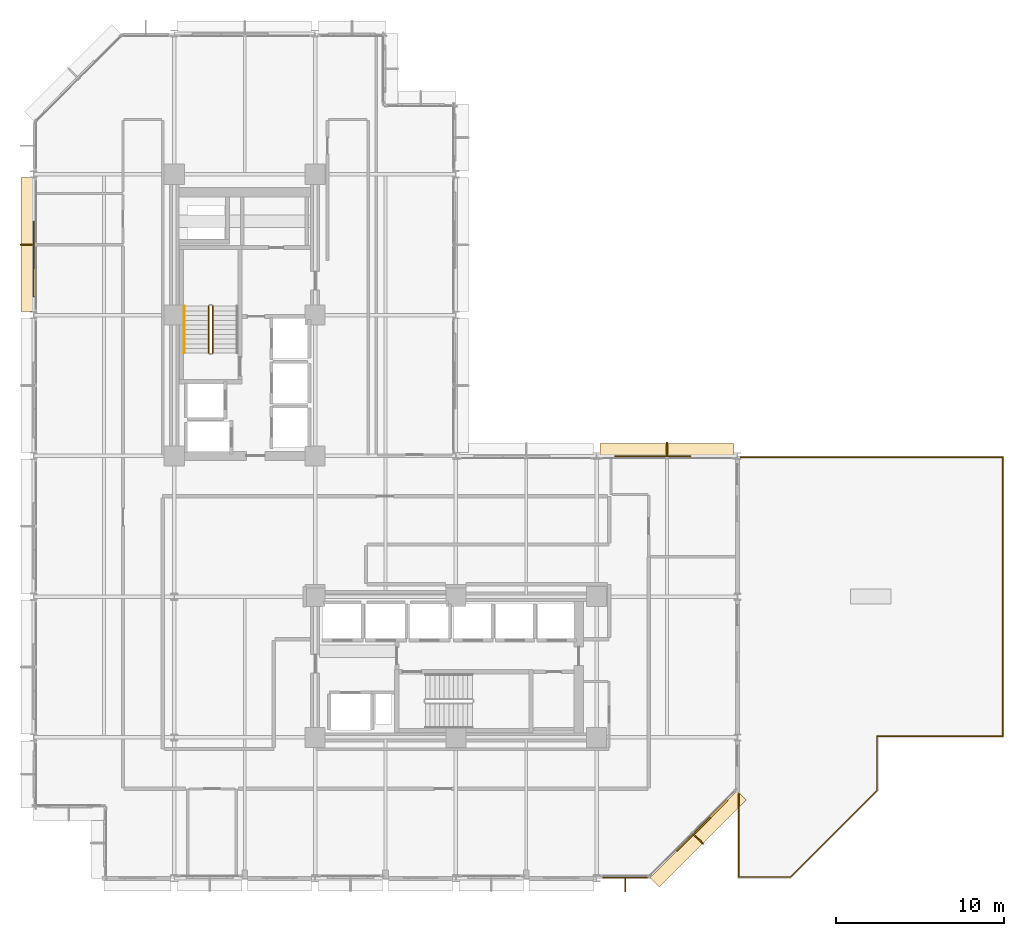
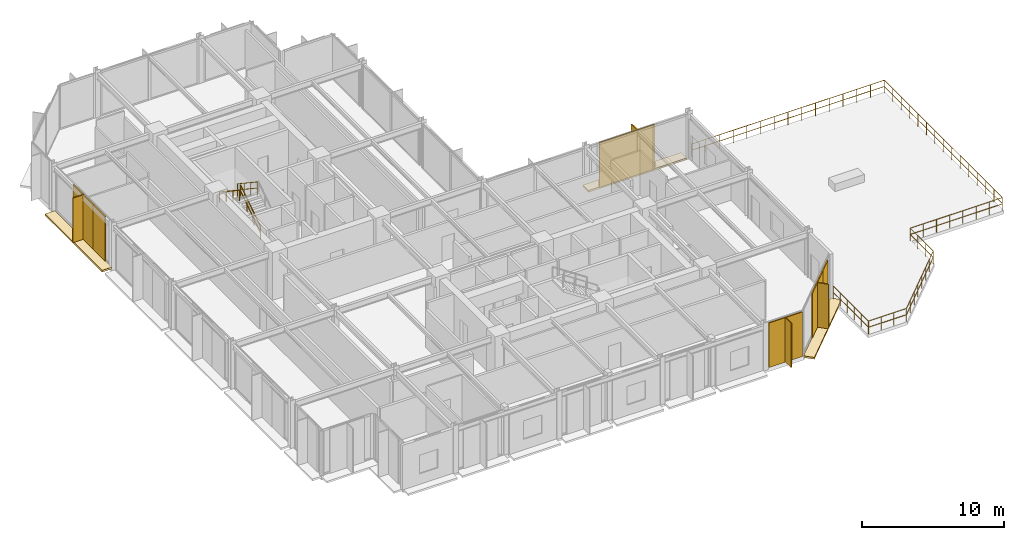
# One storey, part 24 of 25: 10 railings, 8 shading devices, 6 coverings.
"""IFC4 building model written with IfcOpenShell, lengths in metres."""

from ifc_helpers import new_model, si_unit, direction, frame, origin, origin_2d, place, context, subcontext, project, spatial, polyline, rectangle, circle, outline, extrude, material, layer, layer_set, type_object, element, save


model = new_model("IFC4")

# Units and contexts
model_context = context("Model", 3, precision=1e-05, world=origin(), true_north=direction((0.0, 1.0)))
body_context = subcontext(model_context, "Body", "Model", "MODEL_VIEW")
ifc_project = project(units=[si_unit("LENGTHUNIT", "METRE"), si_unit("AREAUNIT", "SQUARE_METRE"), si_unit("VOLUMEUNIT", "CUBIC_METRE"), si_unit("PLANEANGLEUNIT", "RADIAN"), si_unit("MASSUNIT", "GRAM", prefix="KILO")], contexts=[model_context])

# Site, building, storey
site_placement = place(None, origin())
site = spatial("IfcSite", under=ifc_project, at=site_placement, CompositionType="ELEMENT")
building_placement = place(site_placement, origin())
building = spatial("IfcBuilding", under=site, at=building_placement, Name="Nerrivon Quay Data Exchange", CompositionType="ELEMENT")
storey_placement = place(building_placement, frame((0.0, 0.0, 113.10009765625)))
storey = spatial("IfcBuildingStorey", under=building, at=storey_placement, Name="L26", CompositionType="ELEMENT", Elevation=113.10009765625)

# Coverings
ifc_material_1 = material(Name="Architectural terracotta ceramic", Category="masonry")
ifc_layer_1 = layer(ifc_material_1, 0.159912109375)
ifc_layer_set_1 = layer_set([ifc_layer_1], Name="Architectural terracotta ceramic")
covering_type_1 = type_object("IfcCoveringType", Name="COV-BLD-TERR", PredefinedType="CLADDING", material=ifc_layer_set_1)
covering_1_placement = place(storey_placement, frame((0.0, 0.0, -0.16015625)))
element("IfcCovering", 1, at=covering_1_placement, inside=storey, type_object=covering_type_1, Name="L26 Horizontal Terracotta SOLAR SCREEN Blade", PredefinedType="CLADDING", context=body_context, shape_type="SweptSolid", body=[
    extrude(outline(polyline([(41.9716796875, 5.228271484375), (36.771728515625, 0.0283203125), (37.330322265625, -0.5302734375), (42.5302734375, 4.669677734375), (41.9716796875, 5.228271484375)])), origin(), (0.0, 0.0, 1.0), 0.16015625),
])
covering_2_placement = place(storey_placement, frame((0.0, 0.0, -0.16015625)))
element("IfcCovering", 2, at=covering_2_placement, inside=storey, type_object=covering_type_1, Name="L26 Horizontal Terracotta SOLAR SCREEN Blade", PredefinedType="CLADDING", context=body_context, shape_type="SweptSolid", body=[
    extrude(outline(polyline([(0.0400390625, 33.800048828125), (0.0400390625, 41.800048828125), (-0.75, 41.800048828125), (-0.75, 33.800048828125), (0.0400390625, 33.800048828125)])), origin(), (0.0, 0.0, 1.0), 0.16015625),
])
covering_3_placement = place(storey_placement, frame((0.0, 0.0, -0.16015625)))
element("IfcCovering", 3, at=covering_3_placement, inside=storey, type_object=covering_type_1, Name="L26 Horizontal Terracotta SOLAR SCREEN Blade", PredefinedType="CLADDING", context=body_context, shape_type="SweptSolid", body=[
    extrude(outline(polyline([(33.800048828125, 25.159912109375), (41.800048828125, 25.159912109375), (41.800048828125, 25.949951171875), (33.800048828125, 25.949951171875), (33.800048828125, 25.159912109375)])), origin(), (0.0, 0.0, 1.0), 0.16015625),
])
ifc_layer_2 = layer(ifc_material_1, 0.090087890625)
ifc_layer_set_2 = layer_set([ifc_layer_2], Name="Architectural terracotta ceramic")
covering_type_2 = type_object("IfcCoveringType", Name="COV-SCR-TERR", PredefinedType="CLADDING", material=ifc_layer_set_2)
covering_4_placement = place(storey_placement, frame((39.9921875, 3.255859375, 0.0), z_axis=(0.0, 0.0, 1.0), x_axis=(-0.707106781187, -0.707106781187, 0.0)))
element("IfcCovering", 4, at=covering_4_placement, inside=storey, type_object=covering_type_2, Name="L26 Perforated Terracotta SOLAR SCREEN Cassette", PredefinedType="CLADDING", context=body_context, shape_type="SweptSolid", body=[
    extrude(rectangle(XDim=3.970947265625, YDim=0.090087890625, at=origin_2d()), origin(), (0.0, 0.0, 1.0), 3.824951171875),
])
for number, where, z_axis, x_axis, name in (
    (5, (0.044921875, 36.840087890625, 0.0), (0.0, 0.0, 1.0), (0.0, 1.0, 0.0), "L26 Perforated Terracotta SOLAR SCREEN Cassette"),
    (6, (36.840087890625, 25.155029296875, 0.0), (0.0, 0.0, 1.0), (1.0, 0.0, 0.0), "L26 Perforated Terracotta SOLAR SCREEN Cassette"),
):
    element("IfcCovering", number, at=place(storey_placement, frame(where, z_axis=z_axis, x_axis=x_axis)), inside=storey, type_object=covering_type_2, Name=name, PredefinedType="CLADDING", context=body_context, shape_type="SweptSolid", body=[
        extrude(rectangle(XDim=4.320068359375, YDim=0.090087890625, at=origin_2d()), origin(), (0.0, 0.0, 1.0), 3.824951171875),
    ])

# Railings
ifc_material_2 = material(Name="Steel Grade C350L0 (350 MPa)", Category="steel")
railing_type_1 = type_object("IfcRailingType", Name="RAIL-GUARD-GR2", PredefinedType="BALUSTRADE", material=ifc_material_2)
railing_1_placement = place(storey_placement, frame((57.820068359375, 25.1201171875, 0.0)))
element("IfcRailing", 7, at=railing_1_placement, inside=storey, type_object=railing_type_1, Name="L26 Terrace Perimeter Guard 1.1 1", PredefinedType="BALUSTRADE", context=body_context, shape_type="SweptSolid", body=[
    extrude(circle(Radius=0.02392578125, at=origin_2d()), frame((0.0, 0.0, 1.09619140625), z_axis=(0.0, -1.0, 0.0), x_axis=(1.0, 0.0, 0.0)), (0.0, 0.0, 1.0), 16.64013671875),
    extrude(circle(Radius=0.02392578125, at=origin_2d()), frame((0.0, 0.0, 0.56005859375), z_axis=(0.0, -1.0, 0.0), x_axis=(1.0, 0.0, 0.0)), (0.0, 0.0, 1.0), 16.64013671875),
    extrude(circle(Radius=0.02099609375, at=origin_2d()), origin(), (0.0, 0.0, 1.0), 1.072021484375),
    extrude(circle(Radius=0.02099609375, at=origin_2d()), frame((0.0, -1.1884765625, 0.0)), (0.0, 0.0, 1.0), 1.072021484375),
    extrude(circle(Radius=0.02099609375, at=origin_2d()), frame((0.0, -2.377197265625, 0.0)), (0.0, 0.0, 1.0), 1.072021484375),
    extrude(circle(Radius=0.02099609375, at=origin_2d()), frame((0.0, -3.565673828125, 0.0)), (0.0, 0.0, 1.0), 1.072021484375),
    extrude(circle(Radius=0.02099609375, at=origin_2d()), frame((0.0, -4.75439453125, 0.0)), (0.0, 0.0, 1.0), 1.072021484375),
    extrude(circle(Radius=0.02099609375, at=origin_2d()), frame((0.0, -5.94287109375, 0.0)), (0.0, 0.0, 1.0), 1.072021484375),
    extrude(circle(Radius=0.02099609375, at=origin_2d()), frame((0.0, -7.131591796875, 0.0)), (0.0, 0.0, 1.0), 1.072021484375),
    extrude(circle(Radius=0.02099609375, at=origin_2d()), frame((0.0, -8.320068359375, 0.0)), (0.0, 0.0, 1.0), 1.072021484375),
    extrude(circle(Radius=0.02099609375, at=origin_2d()), frame((0.0, -9.508544921875, 0.0)), (0.0, 0.0, 1.0), 1.072021484375),
    extrude(circle(Radius=0.02099609375, at=origin_2d()), frame((0.0, -10.697265625, 0.0)), (0.0, 0.0, 1.0), 1.072021484375),
    extrude(circle(Radius=0.02099609375, at=origin_2d()), frame((0.0, -11.8857421875, 0.0)), (0.0, 0.0, 1.0), 1.072021484375),
    extrude(circle(Radius=0.02099609375, at=origin_2d()), frame((0.0, -13.074462890625, 0.0)), (0.0, 0.0, 1.0), 1.072021484375),
    extrude(circle(Radius=0.02099609375, at=origin_2d()), frame((0.0, -14.262939453125, 0.0)), (0.0, 0.0, 1.0), 1.072021484375),
    extrude(circle(Radius=0.02099609375, at=origin_2d()), frame((0.0, -15.45166015625, 0.0)), (0.0, 0.0, 1.0), 1.072021484375),
    extrude(circle(Radius=0.02099609375, at=origin_2d()), frame((0.0, -16.64013671875, 0.0)), (0.0, 0.0, 1.0), 1.072021484375),
])
railing_2_placement = place(storey_placement, frame((57.820068359375, 8.47998046875, 0.0)))
element("IfcRailing", 8, at=railing_2_placement, inside=storey, type_object=railing_type_1, Name="L26 Terrace Perimeter Guard 1.2 1", PredefinedType="BALUSTRADE", context=body_context, shape_type="SweptSolid", body=[
    extrude(circle(Radius=0.02392578125, at=origin_2d()), frame((0.0, 0.0, 1.09619140625), z_axis=(-1.0, 0.0, 0.0), x_axis=(0.0, -1.0, 0.0)), (0.0, 0.0, 1.0), 7.5),
    extrude(circle(Radius=0.02392578125, at=origin_2d()), frame((0.0, 0.0, 0.56005859375), z_axis=(-1.0, 0.0, 0.0), x_axis=(0.0, -1.0, 0.0)), (0.0, 0.0, 1.0), 7.5),
    extrude(circle(Radius=0.02099609375, at=origin_2d()), origin(), (0.0, 0.0, 1.0), 1.072021484375),
    extrude(circle(Radius=0.02099609375, at=origin_2d()), frame((-1.071533203125, 0.0, 0.0)), (0.0, 0.0, 1.0), 1.072021484375),
    extrude(circle(Radius=0.02099609375, at=origin_2d()), frame((-2.142822265625, 0.0, 0.0)), (0.0, 0.0, 1.0), 1.072021484375),
    extrude(circle(Radius=0.02099609375, at=origin_2d()), frame((-3.21435546875, 0.0, 0.0)), (0.0, 0.0, 1.0), 1.072021484375),
    extrude(circle(Radius=0.02099609375, at=origin_2d()), frame((-4.28564453125, 0.0, 0.0)), (0.0, 0.0, 1.0), 1.072021484375),
    extrude(circle(Radius=0.02099609375, at=origin_2d()), frame((-5.357177734375, 0.0, 0.0)), (0.0, 0.0, 1.0), 1.072021484375),
    extrude(circle(Radius=0.02099609375, at=origin_2d()), frame((-6.428466796875, 0.0, 0.0)), (0.0, 0.0, 1.0), 1.072021484375),
    extrude(circle(Radius=0.02099609375, at=origin_2d()), frame((-7.5, 0.0, 0.0)), (0.0, 0.0, 1.0), 1.072021484375),
])
railing_3_placement = place(storey_placement, frame((50.320068359375, 8.47998046875, 0.0)))
element("IfcRailing", 9, at=railing_3_placement, inside=storey, type_object=railing_type_1, Name="L26 Terrace Perimeter Guard 1.3 1", PredefinedType="BALUSTRADE", context=body_context, shape_type="SweptSolid", body=[
    extrude(circle(Radius=0.02392578125, at=origin_2d()), frame((0.0, 0.0, 1.09619140625), z_axis=(0.0, -1.0, 0.0), x_axis=(1.0, 0.0, 0.0)), (0.0, 0.0, 1.0), 3.246826171875),
    extrude(circle(Radius=0.02392578125, at=origin_2d()), frame((0.0, 0.0, 0.56005859375), z_axis=(0.0, -1.0, 0.0), x_axis=(1.0, 0.0, 0.0)), (0.0, 0.0, 1.0), 3.246826171875),
    extrude(circle(Radius=0.02099609375, at=origin_2d()), origin(), (0.0, 0.0, 1.0), 1.072021484375),
    extrude(circle(Radius=0.02099609375, at=origin_2d()), frame((0.0, -1.082275390625, 0.0)), (0.0, 0.0, 1.0), 1.072021484375),
    extrude(circle(Radius=0.02099609375, at=origin_2d()), frame((0.0, -2.16455078125, 0.0)), (0.0, 0.0, 1.0), 1.072021484375),
    extrude(circle(Radius=0.02099609375, at=origin_2d()), frame((0.0, -3.246826171875, 0.0)), (0.0, 0.0, 1.0), 1.072021484375),
])
railing_4_placement = place(storey_placement, frame((50.320068359375, 5.233154296875, 0.0)))
element("IfcRailing", 10, at=railing_4_placement, inside=storey, type_object=railing_type_1, Name="L26 Terrace Perimeter Guard 1.4 1", PredefinedType="BALUSTRADE", context=body_context, shape_type="SweptSolid", body=[
    extrude(circle(Radius=0.02392578125, at=origin_2d()), frame((0.0, 0.0, 1.09619140625), z_axis=(-0.707106781187, -0.707106781187, 0.0), x_axis=(0.707106781187, -0.707106781187, 0.0)), (0.0, 0.0, 1.0), 7.28759765625),
    extrude(circle(Radius=0.02392578125, at=origin_2d()), frame((0.0, 0.0, 0.56005859375), z_axis=(-0.707106781187, -0.707106781187, 0.0), x_axis=(0.707106781187, -0.707106781187, 0.0)), (0.0, 0.0, 1.0), 7.28759765625),
    extrude(circle(Radius=0.02099609375, at=origin_2d()), origin(), (0.0, 0.0, 1.0), 1.072021484375),
    extrude(circle(Radius=0.02099609375, at=origin_2d()), frame((-0.736083984375, -0.736083984375, 0.0)), (0.0, 0.0, 1.0), 1.072021484375),
    extrude(circle(Radius=0.02099609375, at=origin_2d()), frame((-1.472412109375, -1.472412109375, 0.0)), (0.0, 0.0, 1.0), 1.072021484375),
    extrude(circle(Radius=0.02099609375, at=origin_2d()), frame((-2.20849609375, -2.20849609375, 0.0)), (0.0, 0.0, 1.0), 1.072021484375),
    extrude(circle(Radius=0.02099609375, at=origin_2d()), frame((-2.944580078125, -2.944580078125, 0.0)), (0.0, 0.0, 1.0), 1.072021484375),
    extrude(circle(Radius=0.02099609375, at=origin_2d()), frame((-3.6806640625, -3.6806640625, 0.0)), (0.0, 0.0, 1.0), 1.072021484375),
    extrude(circle(Radius=0.02099609375, at=origin_2d()), frame((-4.4169921875, -4.4169921875, 0.0)), (0.0, 0.0, 1.0), 1.072021484375),
    extrude(circle(Radius=0.02099609375, at=origin_2d()), frame((-5.153076171875, -5.153076171875, 0.0)), (0.0, 0.0, 1.0), 1.072021484375),
])
railing_5_placement = place(storey_placement, frame((45.1669921875, 0.080078125, 0.0)))
element("IfcRailing", 11, at=railing_5_placement, inside=storey, type_object=railing_type_1, Name="L26 Terrace Perimeter Guard 1.5 1", PredefinedType="BALUSTRADE", context=body_context, shape_type="SweptSolid", body=[
    extrude(circle(Radius=0.02392578125, at=origin_2d()), frame((0.0, 0.0, 1.09619140625), z_axis=(-1.0, 0.0, 0.0), x_axis=(0.0, -1.0, 0.0)), (0.0, 0.0, 1.0), 3.0869140625),
    extrude(circle(Radius=0.02392578125, at=origin_2d()), frame((0.0, 0.0, 0.56005859375), z_axis=(-1.0, 0.0, 0.0), x_axis=(0.0, -1.0, 0.0)), (0.0, 0.0, 1.0), 3.0869140625),
    extrude(circle(Radius=0.02099609375, at=origin_2d()), origin(), (0.0, 0.0, 1.0), 1.072021484375),
    extrude(circle(Radius=0.02099609375, at=origin_2d()), frame((-1.029052734375, 0.0, 0.0)), (0.0, 0.0, 1.0), 1.072021484375),
    extrude(circle(Radius=0.02099609375, at=origin_2d()), frame((-2.057861328125, 0.0, 0.0)), (0.0, 0.0, 1.0), 1.072021484375),
    extrude(circle(Radius=0.02099609375, at=origin_2d()), frame((-3.0869140625, 0.0, 0.0)), (0.0, 0.0, 1.0), 1.072021484375),
])
railing_6_placement = place(storey_placement, frame((42.080078125, 0.080078125, 0.0)))
element("IfcRailing", 12, at=railing_6_placement, inside=storey, type_object=railing_type_1, Name="L26 Terrace Perimeter Guard 1.6 1", PredefinedType="BALUSTRADE", context=body_context, shape_type="SweptSolid", body=[
    extrude(circle(Radius=0.02392578125, at=origin_2d()), frame((0.0, 0.0, 1.09619140625), z_axis=(0.0, 1.0, 0.0), x_axis=(-1.0, 0.0, 0.0)), (0.0, 0.0, 1.0), 4.9453125),
    extrude(circle(Radius=0.02392578125, at=origin_2d()), frame((0.0, 0.0, 0.56005859375), z_axis=(0.0, 1.0, 0.0), x_axis=(-1.0, 0.0, 0.0)), (0.0, 0.0, 1.0), 4.9453125),
    extrude(circle(Radius=0.02099609375, at=origin_2d()), origin(), (0.0, 0.0, 1.0), 1.072021484375),
    extrude(circle(Radius=0.02099609375, at=origin_2d()), frame((0.0, 0.989013671875, 0.0)), (0.0, 0.0, 1.0), 1.072021484375),
    extrude(circle(Radius=0.02099609375, at=origin_2d()), frame((0.0, 1.97802734375, 0.0)), (0.0, 0.0, 1.0), 1.072021484375),
    extrude(circle(Radius=0.02099609375, at=origin_2d()), frame((0.0, 2.96728515625, 0.0)), (0.0, 0.0, 1.0), 1.072021484375),
    extrude(circle(Radius=0.02099609375, at=origin_2d()), frame((0.0, 3.956298828125, 0.0)), (0.0, 0.0, 1.0), 1.072021484375),
    extrude(circle(Radius=0.02099609375, at=origin_2d()), frame((0.0, 4.9453125, 0.0)), (0.0, 0.0, 1.0), 1.072021484375),
])
railing_7_placement = place(storey_placement, frame((42.179931640625, 25.1201171875, 0.0)))
element("IfcRailing", 13, at=railing_7_placement, inside=storey, type_object=railing_type_1, Name="L26 Terrace Perimeter Guard 1.7 1", PredefinedType="BALUSTRADE", context=body_context, shape_type="SweptSolid", body=[
    extrude(circle(Radius=0.02392578125, at=origin_2d()), frame((0.0, 0.0, 1.09619140625), z_axis=(1.0, 0.0, 0.0), x_axis=(0.0, 1.0, 0.0)), (0.0, 0.0, 1.0), 15.64013671875),
    extrude(circle(Radius=0.02392578125, at=origin_2d()), frame((0.0, 0.0, 0.56005859375), z_axis=(1.0, 0.0, 0.0), x_axis=(0.0, 1.0, 0.0)), (0.0, 0.0, 1.0), 15.64013671875),
    extrude(circle(Radius=0.02099609375, at=origin_2d()), origin(), (0.0, 0.0, 1.0), 1.072021484375),
    extrude(circle(Radius=0.02099609375, at=origin_2d()), frame((1.1171875, 0.0, 0.0)), (0.0, 0.0, 1.0), 1.072021484375),
    extrude(circle(Radius=0.02099609375, at=origin_2d()), frame((2.234375, 0.0, 0.0)), (0.0, 0.0, 1.0), 1.072021484375),
    extrude(circle(Radius=0.02099609375, at=origin_2d()), frame((3.3515625, 0.0, 0.0)), (0.0, 0.0, 1.0), 1.072021484375),
    extrude(circle(Radius=0.02099609375, at=origin_2d()), frame((4.468505859375, 0.0, 0.0)), (0.0, 0.0, 1.0), 1.072021484375),
    extrude(circle(Radius=0.02099609375, at=origin_2d()), frame((5.585693359375, 0.0, 0.0)), (0.0, 0.0, 1.0), 1.072021484375),
    extrude(circle(Radius=0.02099609375, at=origin_2d()), frame((6.702880859375, 0.0, 0.0)), (0.0, 0.0, 1.0), 1.072021484375),
    extrude(circle(Radius=0.02099609375, at=origin_2d()), frame((7.820068359375, 0.0, 0.0)), (0.0, 0.0, 1.0), 1.072021484375),
    extrude(circle(Radius=0.02099609375, at=origin_2d()), frame((8.937255859375, 0.0, 0.0)), (0.0, 0.0, 1.0), 1.072021484375),
    extrude(circle(Radius=0.02099609375, at=origin_2d()), frame((10.054443359375, 0.0, 0.0)), (0.0, 0.0, 1.0), 1.072021484375),
    extrude(circle(Radius=0.02099609375, at=origin_2d()), frame((11.171630859375, 0.0, 0.0)), (0.0, 0.0, 1.0), 1.072021484375),
    extrude(circle(Radius=0.02099609375, at=origin_2d()), frame((12.28857421875, 0.0, 0.0)), (0.0, 0.0, 1.0), 1.072021484375),
    extrude(circle(Radius=0.02099609375, at=origin_2d()), frame((13.40576171875, 0.0, 0.0)), (0.0, 0.0, 1.0), 1.072021484375),
    extrude(circle(Radius=0.02099609375, at=origin_2d()), frame((14.52294921875, 0.0, 0.0)), (0.0, 0.0, 1.0), 1.072021484375),
    extrude(circle(Radius=0.02099609375, at=origin_2d()), frame((15.64013671875, 0.0, 0.0)), (0.0, 0.0, 1.0), 1.072021484375),
])
railing_type_2 = type_object("IfcRailingType", Name="RAIL-HAND-HR1", PredefinedType="HANDRAIL", material=ifc_material_2)
railing_8_placement = place(storey_placement, frame((9.0, 34.1298828125, 2.236328125)))
element("IfcRailing", 14, at=railing_8_placement, inside=storey, type_object=railing_type_2, Name="L26 ST01 stair handrail 2", PredefinedType="HANDRAIL", context=body_context, shape_type="SweptSolid", body=[
    extrude(circle(Radius=0.02392578125, at=origin_2d()), frame((0.0, 0.0, 0.8759765625), z_axis=(0.0, -0.832463268671, 0.554080234545), x_axis=(1.0, 0.0, 0.0)), (0.0, 0.0, 1.0), 3.36328125),
    extrude(circle(Radius=0.02099609375, at=origin_2d()), origin(), (0.0, 0.0, 1.0), 0.851806640625),
    extrude(circle(Radius=0.02099609375, at=origin_2d()), frame((0.0, -0.933349609375, 0.62109375)), (0.0, 0.0, 1.0), 0.851806640625),
    extrude(circle(Radius=0.02099609375, at=origin_2d()), frame((0.0, -1.866455078125, 1.242431640625)), (0.0, 0.0, 1.0), 0.851806640625),
    extrude(circle(Radius=0.02099609375, at=origin_2d()), frame((0.0, -2.7998046875, 1.863525390625)), (0.0, 0.0, 1.0), 0.851806640625),
])
railing_type_3 = type_object("IfcRailingType", Name="RAIL-STAIR-GR1", PredefinedType="BALUSTRADE", material=ifc_material_2)
railing_9_placement = place(storey_placement, frame((10.699951171875, 31.330078125, 0.186279296875)))
element("IfcRailing", 15, at=railing_9_placement, inside=storey, type_object=railing_type_3, Name="L26 ST01 stair guard 1", PredefinedType="BALUSTRADE", context=body_context, shape_type="SweptSolid", body=[
    extrude(circle(Radius=0.02392578125, at=origin_2d()), frame((0.0, 0.0, 1.076171875), z_axis=(0.0, 0.832463268671, 0.554080234545), x_axis=(-1.0, 0.0, 0.0)), (0.0, 0.0, 1.0), 3.36328125),
    extrude(circle(Radius=0.02392578125, at=origin_2d()), frame((0.0, 0.0, 0.550048828125), z_axis=(0.0, 0.832463268671, 0.554080234545), x_axis=(-1.0, 0.0, 0.0)), (0.0, 0.0, 1.0), 3.36328125),
    extrude(circle(Radius=0.02099609375, at=origin_2d()), origin(), (0.0, 0.0, 1.0), 1.052001953125),
    extrude(circle(Radius=0.02099609375, at=origin_2d()), frame((0.0, 0.933349609375, 0.62109375)), (0.0, 0.0, 1.0), 1.052001953125),
    extrude(circle(Radius=0.02099609375, at=origin_2d()), frame((0.0, 1.866455078125, 1.242431640625)), (0.0, 0.0, 1.0), 1.052001953125),
    extrude(circle(Radius=0.02099609375, at=origin_2d()), frame((0.0, 2.7998046875, 1.863525390625)), (0.0, 0.0, 1.0), 1.052001953125),
])
railing_10_placement = place(storey_placement, frame((10.449951171875, 34.1298828125, 2.236328125)))
element("IfcRailing", 16, at=railing_10_placement, inside=storey, type_object=railing_type_3, Name="L26 ST01 stair guard 3", PredefinedType="BALUSTRADE", context=body_context, shape_type="SweptSolid", body=[
    extrude(circle(Radius=0.02392578125, at=origin_2d()), frame((0.0, 0.0, 1.076171875), z_axis=(0.0, -0.832463268671, 0.554080234545), x_axis=(1.0, 0.0, 0.0)), (0.0, 0.0, 1.0), 3.36328125),
    extrude(circle(Radius=0.02392578125, at=origin_2d()), frame((0.0, 0.0, 0.550048828125), z_axis=(0.0, -0.832463268671, 0.554080234545), x_axis=(1.0, 0.0, 0.0)), (0.0, 0.0, 1.0), 3.36328125),
    extrude(circle(Radius=0.02099609375, at=origin_2d()), origin(), (0.0, 0.0, 1.0), 1.052001953125),
    extrude(circle(Radius=0.02099609375, at=origin_2d()), frame((0.0, -0.933349609375, 0.62109375)), (0.0, 0.0, 1.0), 1.052001953125),
    extrude(circle(Radius=0.02099609375, at=origin_2d()), frame((0.0, -1.866455078125, 1.242431640625)), (0.0, 0.0, 1.0), 1.052001953125),
    extrude(circle(Radius=0.02099609375, at=origin_2d()), frame((0.0, -2.7998046875, 1.863525390625)), (0.0, 0.0, 1.0), 1.052001953125),
])

# Shading devices
ifc_layer_3 = layer(ifc_material_1, 0.074951171875)
ifc_layer_set_3 = layer_set([ifc_layer_3], Name="Architectural terracotta ceramic")
shading_device_type_1 = type_object("IfcShadingDeviceType", Name="SHD-FIN-SS02", PredefinedType="USERDEFINED", material=ifc_layer_set_3)
for number, where, z_axis, x_axis, name in (
    (17, (39.668701171875, 2.331298828125, 0.0), (0.0, 0.0, 1.0), (-0.707106781187, -0.707106781187, 0.0), "L26 Subtropical Solar Fin Blade 1"),
    (18, (35.300048828125, -0.3798828125, 0.0), (0.0, 0.0, 1.0), (-1.0, 0.0, 0.0), "L26 Subtropical Solar Fin Blade 2"),
    (19, (-0.3798828125, 37.800048828125, 0.0), (0.0, 0.0, 1.0), (0.0, 1.0, 0.0), "L26 Subtropical Solar Fin Blade 16"),
    (20, (37.800048828125, 25.580078125, 0.0), (0.0, 0.0, 1.0), (1.0, 0.0, 0.0), "L26 Subtropical Solar Fin Blade 28"),
):
    element("IfcShadingDevice", number, at=place(storey_placement, frame(where, z_axis=z_axis, x_axis=x_axis)), inside=storey, type_object=shading_device_type_1, Name=name, ObjectType="FIN", PredefinedType="USERDEFINED", context=body_context, shape_type="SweptSolid", body=[
        extrude(rectangle(XDim=0.074951171875, YDim=0.85009765625, at=origin_2d()), origin(), (0.0, 0.0, 1.0), 3.824951171875),
    ])
ifc_layer_4 = layer(ifc_material_1, 0.0849609375)
ifc_layer_set_4 = layer_set([ifc_layer_4], Name="Architectural terracotta ceramic")
shading_device_type_2 = type_object("IfcShadingDeviceType", Name="SHD-SCR-SS01", PredefinedType="USERDEFINED", material=ifc_layer_set_4)
shading_device_1_placement = place(storey_placement, frame((39.37158203125, 2.62841796875, 0.0), z_axis=(0.0, 0.0, 1.0), x_axis=(-0.707106781187, -0.707106781187, 0.0)))
element("IfcShadingDevice", 21, at=shading_device_1_placement, inside=storey, type_object=shading_device_type_2, Name="L26 Perforated Terracotta Solar Screen 1", ObjectType="SCREEN", PredefinedType="USERDEFINED", context=body_context, shape_type="SweptSolid", body=[
    extrude(rectangle(XDim=2.800048828125, YDim=0.0849609375, at=origin_2d()), origin(), (0.0, 0.0, 1.0), 3.824951171875),
])
shading_device_2_placement = place(storey_placement, frame((35.300048828125, 0.0400390625, 0.0), z_axis=(0.0, 0.0, 1.0), x_axis=(-1.0, 0.0, 0.0)))
element("IfcShadingDevice", 22, at=shading_device_2_placement, inside=storey, type_object=shading_device_type_2, Name="L26 Perforated Terracotta Solar Screen 2", ObjectType="SCREEN", PredefinedType="USERDEFINED", context=body_context, shape_type="SweptSolid", body=[
    extrude(rectangle(XDim=2.699951171875, YDim=0.0849609375, at=origin_2d()), origin(), (0.0, 0.0, 1.0), 3.824951171875),
])
for number, where, z_axis, x_axis, name in (
    (23, (0.0400390625, 37.800048828125, 0.0), (0.0, 0.0, 1.0), (0.0, 1.0, 0.0), "L26 Perforated Terracotta Solar Screen 16"),
    (24, (37.800048828125, 25.159912109375, 0.0), (0.0, 0.0, 1.0), (1.0, 0.0, 0.0), "L26 Perforated Terracotta Solar Screen 28"),
):
    element("IfcShadingDevice", number, at=place(storey_placement, frame(where, z_axis=z_axis, x_axis=x_axis)), inside=storey, type_object=shading_device_type_2, Name=name, ObjectType="SCREEN", PredefinedType="USERDEFINED", context=body_context, shape_type="SweptSolid", body=[
        extrude(rectangle(XDim=2.800048828125, YDim=0.0849609375, at=origin_2d()), origin(), (0.0, 0.0, 1.0), 3.824951171875),
    ])

save(model, "model.ifc")
